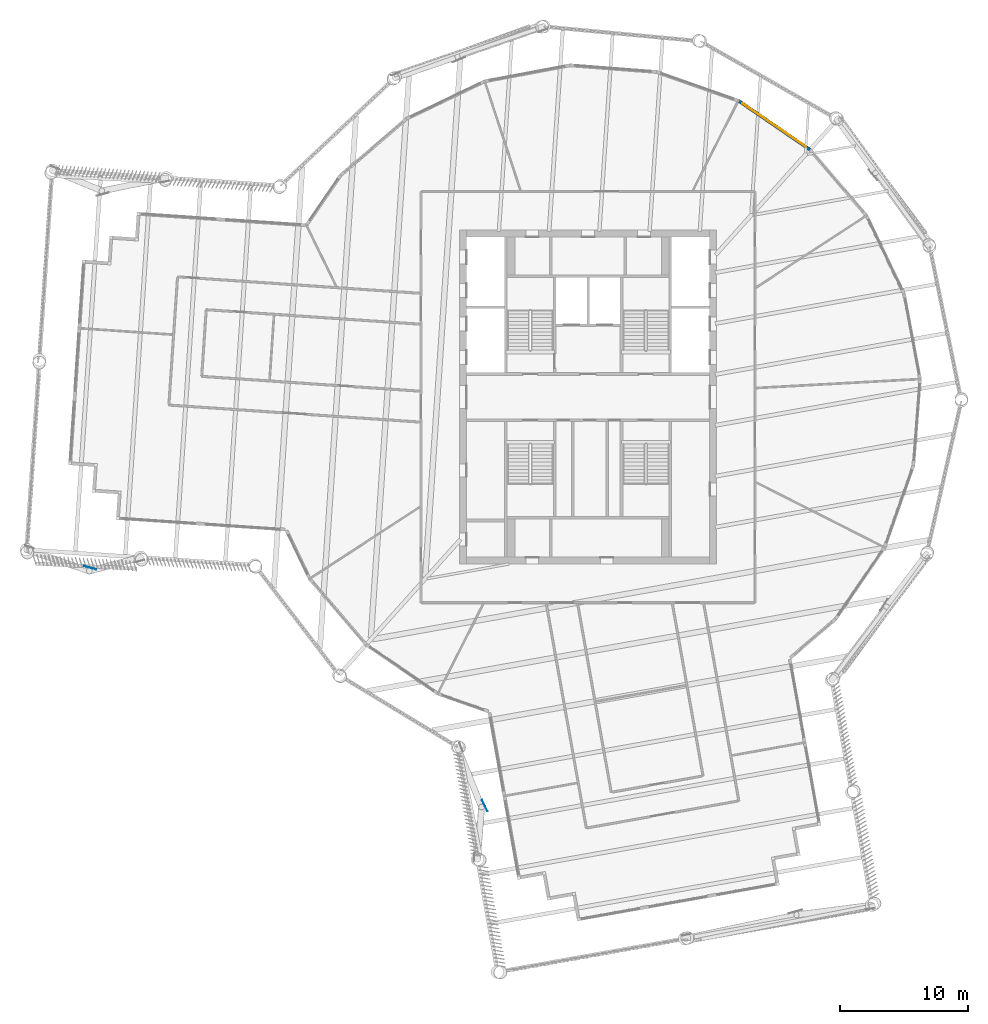
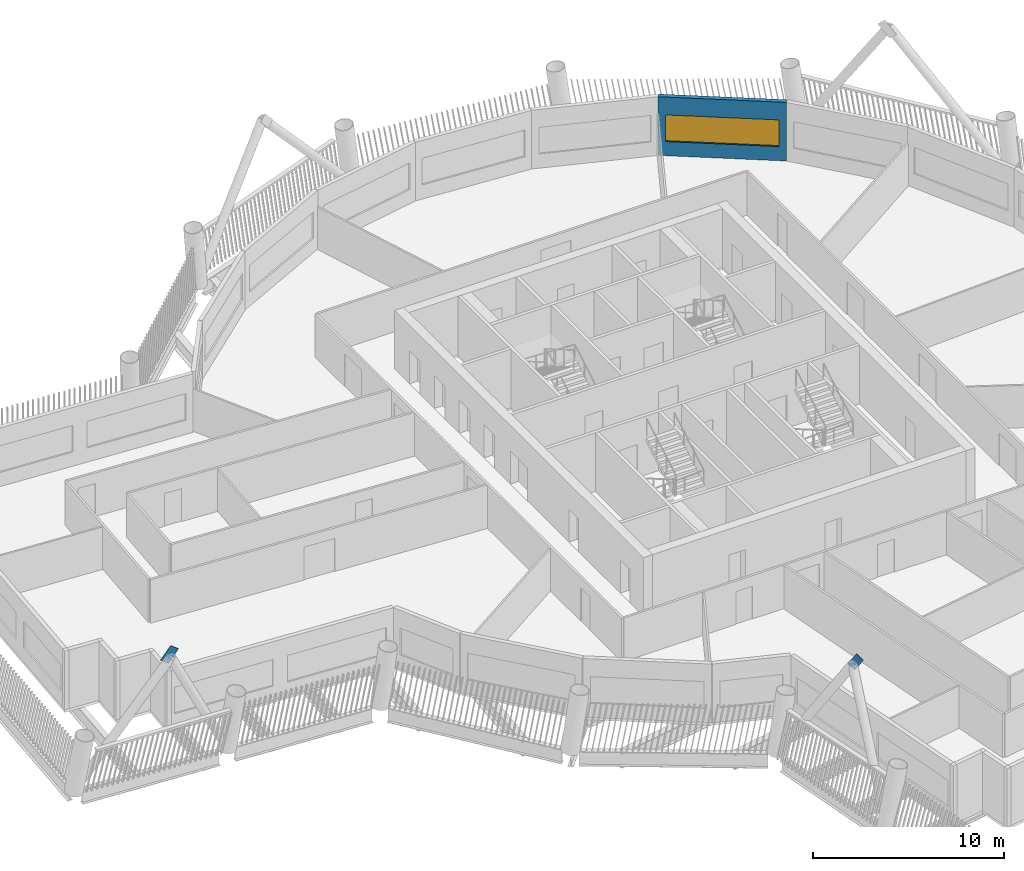
# One storey, part 7 of 22: 2 discrete accessories, 1 wall, 1 window, 1 opening.
"""IFC4 building model written with IfcOpenShell, lengths in metres."""

from ifc_helpers import new_model, si_unit, direction, frame, frame_2d, origin, origin_2d, place, context, subcontext, project, spatial, rectangle, extrude, material, layer, layer_set, material_profile, profile_set, type_object, element, fill, save


model = new_model("IFC4")

# Units and contexts
model_context = context("Model", 3, precision=1e-05, world=origin(), true_north=direction((0.0, 1.0)))
body_context = subcontext(model_context, "Body", "Model", "MODEL_VIEW")
ifc_project = project(units=[si_unit("LENGTHUNIT", "METRE"), si_unit("AREAUNIT", "SQUARE_METRE"), si_unit("VOLUMEUNIT", "CUBIC_METRE"), si_unit("PLANEANGLEUNIT", "RADIAN"), si_unit("MASSUNIT", "GRAM", prefix="KILO")], contexts=[model_context])

# Site, building, storey
site_placement = place(None, origin())
site = spatial("IfcSite", under=ifc_project, at=site_placement, CompositionType="ELEMENT")
building_placement = place(site_placement, origin())
building = spatial("IfcBuilding", under=site, at=building_placement, Name="Tarsis Ring Headquarters", CompositionType="ELEMENT")
storey_placement = place(building_placement, frame((0.0, 0.0, 270.800048828125)))
storey = spatial("IfcBuildingStorey", under=building, at=storey_placement, Name="L63", CompositionType="ELEMENT", Elevation=270.800048828125)

# Wall, opening, window
ifc_material_1 = material(Name="Terracotta clad insulated panel wall", Category="masonry")
ifc_layer = layer(ifc_material_1, 0.25)
ifc_layer_set = layer_set([ifc_layer], Name="Facade wall terracotta panel 250")
wall_type = type_object("IfcWallType", Name="Facade wall terracotta panel 250", PredefinedType="STANDARD", material=ifc_layer_set)
wall_placement = place(storey_placement, frame((17.259033203125, 19.273681640625, 0.0), z_axis=(0.0, 0.0, 1.0), x_axis=(-0.825317952228, 0.564668289998, 0.0)))
wall = element("IfcWall", 1, at=wall_placement, inside=storey, type_object=wall_type, Name="External wall L63-24", PredefinedType="STANDARD", context=body_context, shape_type="SweptSolid", body=[
    extrude(rectangle(XDim=6.721435546875, YDim=0.25, at=frame_2d((3.36083984375, 0.0))), origin(), (0.0, 0.0, 1.0), 3.739990234375),
])
opening_placement = place(wall_placement, frame((0.3857421875, 0.0, 0.89990234375)))
opening = element("IfcOpeningElement", 2, at=opening_placement, cuts=wall, Name="Opening WN07", PredefinedType="OPENING", context=body_context, shape_type="SweptSolid", body=[
    extrude(rectangle(XDim=5.949951171875, YDim=1.699951171875, at=frame_2d((2.97509765625, 0.85009765625))), frame((0.0, 0.135009765625, 0.0), z_axis=(0.0, -1.0, 0.0), x_axis=(1.0, 0.0, 0.0)), (0.0, 0.0, 1.0), 0.27001953125),
])
ifc_material_2 = material(Name="Aluminium framed double glazing", Category="aluminium")
window_type = type_object("IfcWindowType", Name="Facade window 5950 x 1700", PartitioningType="SINGLE_PANEL", PredefinedType="WINDOW", material=ifc_material_2)
window_placement = place(opening_placement, origin())
window = element("IfcWindow", 3, at=window_placement, inside=storey, type_object=window_type, Name="Window L63-24.1", OverallHeight=1.699951171875, OverallWidth=5.949951171875, PartitioningType="SINGLE_PANEL", PredefinedType="WINDOW", context=body_context, shape_type="SweptSolid", body=[
    extrude(rectangle(XDim=5.949951171875, YDim=1.699951171875, at=frame_2d((2.97509765625, 0.85009765625))), frame((0.0, 0.030029296875, 0.0), z_axis=(0.0, -1.0, 0.0), x_axis=(1.0, 0.0, 0.0)), (0.0, 0.0, 1.0), 0.06005859375),
])
fill(opening, window)

# Discrete accessories
ifc_material_3 = material(Name="Structural steel S355", Category="steel")
ifc_material_profile = material_profile(ifc_material_3, rectangle(XDim=0.02490234375, YDim=0.5, at=origin_2d()), Name="PL 25x500")
ifc_profile_set = profile_set([ifc_material_profile], Name="Structural steel S355")
discrete_accessory_type = type_object("IfcDiscreteAccessoryType", Name="Gusset plate Exo brace 25", PredefinedType="BRACKET", material=ifc_profile_set)
for number, where, z_axis, x_axis, name in (
    (4, (-8.16552734375, -31.5361328125, 7.381103515625), (0.236559611167, -0.492405300025, 0.83760167793), (0.901376560838, 0.433036136565, 0.0), "Gusset plate GP5"),
    (5, (-39.00927734375, -13.205078125, 7.382080078125), (0.530068428158, -0.143321127282, 0.835755057385), (0.26100981923, 0.965336145737, 0.0), "Gusset plate GP5"),
):
    element("IfcDiscreteAccessory", number, at=place(storey_placement, frame(where, z_axis=z_axis, x_axis=x_axis)), inside=storey, type_object=discrete_accessory_type, Name=name, PredefinedType="BRACKET", context=body_context, shape_type="SweptSolid", body=[
        extrude(rectangle(XDim=0.02490234375, YDim=0.5, at=origin_2d()), origin(), (0.0, 0.0, 1.0), 1.0),
    ])

save(model, "model.ifc")
